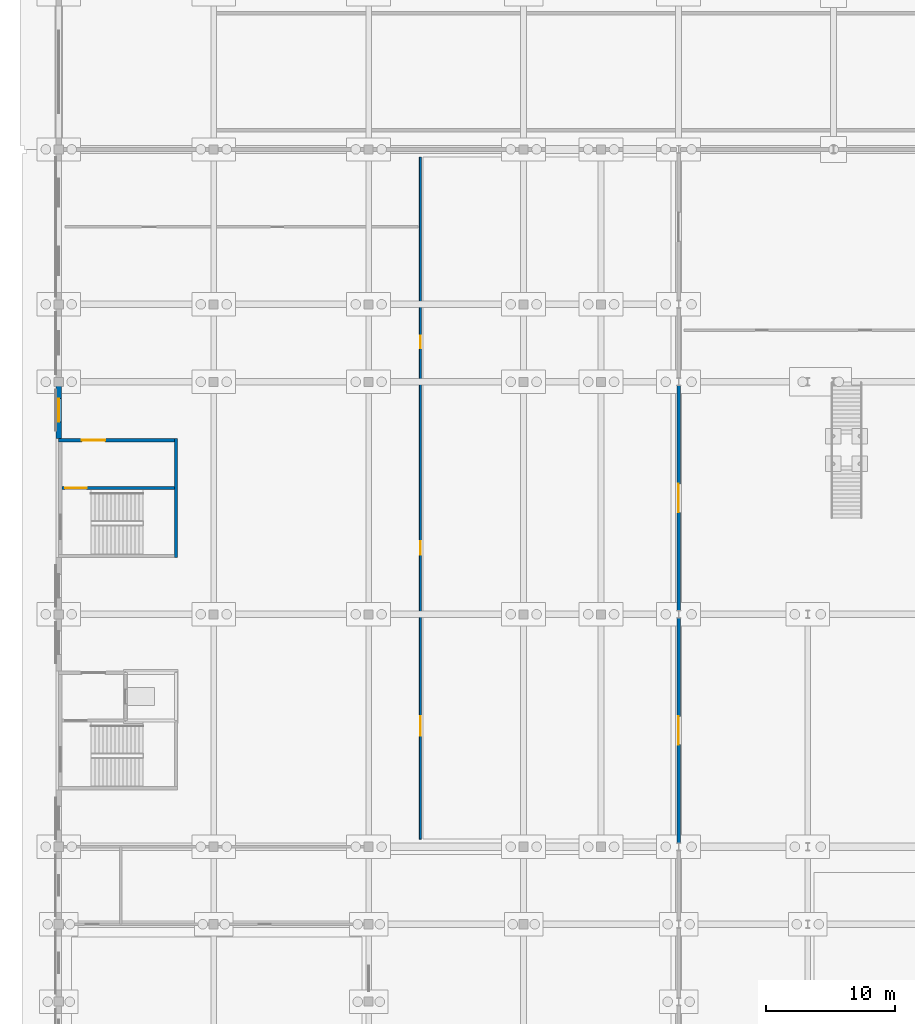
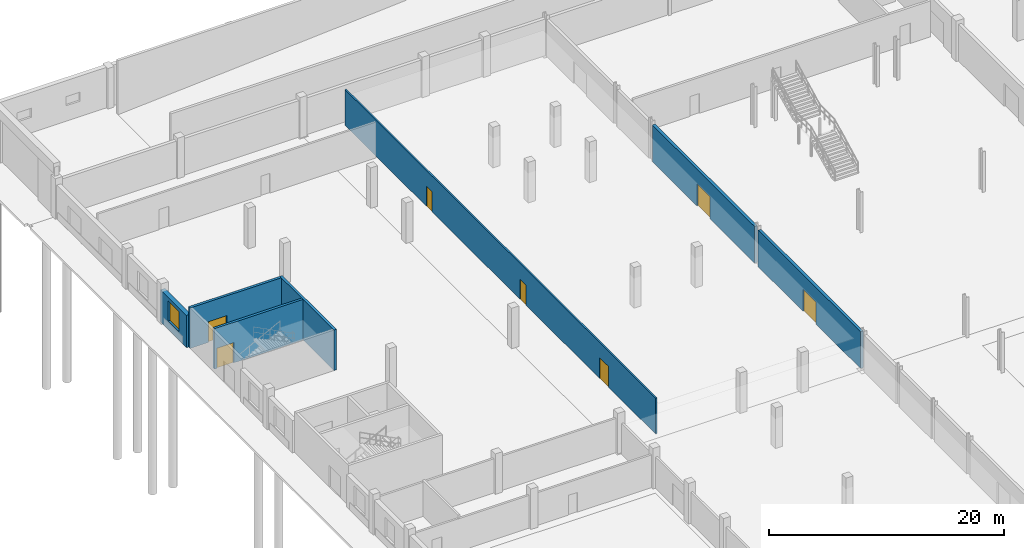
# One storey, part 56 of 77: 7 doors, 7 walls, 1 window, 8 openings.
"""IFC4 building model written with IfcOpenShell, lengths in metres."""

from ifc_helpers import new_model, si_unit, direction, frame, frame_2d, origin, place, context, subcontext, project, spatial, rectangle, extrude, material, layer, layer_set, type_object, element, fill, save


model = new_model("IFC4")

# Units and contexts
model_context = context("Model", 3, precision=1e-05, world=origin(), true_north=direction((0.0, 1.0)))
body_context = subcontext(model_context, "Body", "Model", "MODEL_VIEW")
ifc_project = project(units=[si_unit("LENGTHUNIT", "METRE"), si_unit("AREAUNIT", "SQUARE_METRE"), si_unit("VOLUMEUNIT", "CUBIC_METRE"), si_unit("PLANEANGLEUNIT", "RADIAN"), si_unit("MASSUNIT", "GRAM", prefix="KILO")], contexts=[model_context])

# Site, building, storey
site_placement = place(None, origin())
site = spatial("IfcSite", under=ifc_project, at=site_placement, CompositionType="ELEMENT")
building_placement = place(site_placement, origin())
building = spatial("IfcBuilding", under=site, at=building_placement, Name="Zilviju Railside Exhibition Hall", CompositionType="ELEMENT")
storey_placement = place(building_placement, origin())
storey = spatial("IfcBuildingStorey", under=building, at=storey_placement, Name="L01", CompositionType="ELEMENT", Elevation=0.0)

# Wall, opening, door
ifc_material_1 = material(Name="Concrete C35/45", Category="concrete")
ifc_layer_1 = layer(ifc_material_1, 0.280029296875)
ifc_layer_set_1 = layer_set([ifc_layer_1], Name="Concrete C35/45")
wall_type_1 = type_object("IfcWallType", Name="WL-COMP-280", PredefinedType="SHEAR", material=ifc_layer_set_1)
wall_1_placement = place(storey_placement, frame((48.0, 84.302001953125, 0.0), z_axis=(0.0, 0.0, 1.0), x_axis=(0.0, 1.0, 0.0)))
wall_1 = element("IfcWall", 1, at=wall_1_placement, inside=storey, type_object=wall_type_1, Name="REI 180 Congress-Concourse Compartment Wall L01", PredefinedType="SHEAR", context=body_context, shape_type="SweptSolid", body=[
    extrude(rectangle(XDim=17.39599609375, YDim=0.280029296875, at=frame_2d((8.697998046875, 0.0))), origin(), (0.0, 0.0, 1.0), 3.800048828125),
])
opening_1_placement = place(wall_1_placement, frame((7.597900390625, 0.0, 0.0)))
opening_1 = element("IfcOpeningElement", 2, at=opening_1_placement, cuts=wall_1, Name="Opening FD-03", PredefinedType="OPENING", context=body_context, shape_type="SweptSolid", body=[
    extrude(rectangle(XDim=2.199951171875, YDim=2.300048828125, at=frame_2d((1.10009765625, 1.14990234375))), frame((0.0, 0.14990234375, 0.0), z_axis=(0.0, -1.0, 0.0), x_axis=(1.0, 0.0, 0.0)), (0.0, 0.0, 1.0), 0.300048828125),
])
ifc_material_2 = material(Name="Hold-open double compartment fire door EI 60", Category="wood")
door_type_1 = type_object("IfcDoorType", Name="DR-COMP-220x230", OperationType="NOTDEFINED", PredefinedType="DOOR", material=ifc_material_2)
door_1_placement = place(opening_1_placement, origin())
door_1 = element("IfcDoor", 3, at=door_1_placement, inside=storey, type_object=door_type_1, Name="Congress Link Fire Door L01", OperationType="DOUBLE_DOOR_SINGLE_SWING", OverallHeight=2.300048828125, OverallWidth=2.199951171875, PredefinedType="DOOR", context=body_context, shape_type="SweptSolid", body=[
    extrude(rectangle(XDim=2.199951171875, YDim=2.300048828125, at=frame_2d((1.10009765625, 1.14990234375))), frame((0.0, 0.02490234375, 0.0), z_axis=(0.0, -1.0, 0.0), x_axis=(1.0, 0.0, 0.0)), (0.0, 0.0, 1.0), 0.050048828125),
])
fill(opening_1, door_1)

wall_2_placement = place(storey_placement, frame((48.0, 102.302001953125, 0.0), z_axis=(0.0, 0.0, 1.0), x_axis=(0.0, 1.0, 0.0)))
wall_2 = element("IfcWall", 4, at=wall_2_placement, inside=storey, type_object=wall_type_1, Name="REI 180 Congress-Concourse Compartment Wall L01", PredefinedType="SHEAR", context=body_context, shape_type="SweptSolid", body=[
    extrude(rectangle(XDim=17.39599609375, YDim=0.280029296875, at=frame_2d((8.697998046875, 0.0))), origin(), (0.0, 0.0, 1.0), 3.800048828125),
])
opening_2_placement = place(wall_2_placement, frame((7.597900390625, 0.0, 0.0)))
opening_2 = element("IfcOpeningElement", 5, at=opening_2_placement, cuts=wall_2, Name="Opening FD-03", PredefinedType="OPENING", context=body_context, shape_type="SweptSolid", body=[
    extrude(rectangle(XDim=2.199951171875, YDim=2.300048828125, at=frame_2d((1.10009765625, 1.14990234375))), frame((0.0, 0.14990234375, 0.0), z_axis=(0.0, -1.0, 0.0), x_axis=(1.0, 0.0, 0.0)), (0.0, 0.0, 1.0), 0.300048828125),
])
door_2_placement = place(opening_2_placement, origin())
door_2 = element("IfcDoor", 6, at=door_2_placement, inside=storey, type_object=door_type_1, Name="Congress Link Fire Door L01", OperationType="DOUBLE_DOOR_SINGLE_SWING", OverallHeight=2.300048828125, OverallWidth=2.199951171875, PredefinedType="DOOR", context=body_context, shape_type="SweptSolid", body=[
    extrude(rectangle(XDim=2.199951171875, YDim=2.300048828125, at=frame_2d((1.10009765625, 1.14990234375))), frame((0.0, 0.02490234375, 0.0), z_axis=(0.0, -1.0, 0.0), x_axis=(1.0, 0.0, 0.0)), (0.0, 0.0, 1.0), 0.050048828125),
])
fill(opening_2, door_2)

# Wall
ifc_layer_2 = layer(ifc_material_1, 0.25)
ifc_layer_set_2 = layer_set([ifc_layer_2], Name="Concrete C35/45")
wall_type_2 = type_object("IfcWallType", Name="WL-CORE-250", PredefinedType="SHEAR", material=ifc_layer_set_2)
wall_3_placement = place(storey_placement, frame((9.074951171875, 106.39990234375, 0.0), z_axis=(0.0, 0.0, 1.0), x_axis=(0.0, 1.0, 0.0)))
element("IfcWall", 7, at=wall_3_placement, inside=storey, type_object=wall_type_2, Name="Core C16 Organisers Wing North Core Rear Wall L01", PredefinedType="SHEAR", context=body_context, shape_type="SweptSolid", body=[
    extrude(rectangle(XDim=9.2001953125, YDim=0.25, at=frame_2d((4.60009765625, 0.0))), origin(), (0.0, 0.0, 1.0), 4.199951171875),
])

# Wall, opening, door
wall_4_placement = place(storey_placement, frame((0.0, 115.47509765625, 0.0), z_axis=(0.0, 0.0, 1.0), x_axis=(1.0, 0.0, 0.0)))
wall_4 = element("IfcWall", 8, at=wall_4_placement, inside=storey, type_object=wall_type_2, Name="Core C16 Organisers Wing North Lobby Side Wall L01", PredefinedType="SHEAR", context=body_context, shape_type="SweptSolid", body=[
    extrude(rectangle(XDim=9.199951171875, YDim=0.25, at=frame_2d((4.60009765625, 0.0))), origin(), (0.0, 0.0, 1.0), 4.199951171875),
])
opening_3_placement = place(wall_4_placement, frame((1.800048828125, 0.0, 0.0)))
opening_3 = element("IfcOpeningElement", 9, at=opening_3_placement, cuts=wall_4, Name="Opening FD-02", PredefinedType="OPENING", context=body_context, shape_type="SweptSolid", body=[
    extrude(rectangle(XDim=1.800048828125, YDim=2.14990234375, at=frame_2d((0.89990234375, 1.074951171875))), frame((0.0, 0.135009765625, 0.0), z_axis=(0.0, -1.0, 0.0), x_axis=(1.0, 0.0, 0.0)), (0.0, 0.0, 1.0), 0.27001953125),
])
ifc_material_3 = material(Name="Self-closing glazed steel core lobby fire door EI 60", Category="steel")
door_type_2 = type_object("IfcDoorType", Name="DR-LOBBY-180x215", OperationType="NOTDEFINED", PredefinedType="DOOR", material=ifc_material_3)
door_3_placement = place(opening_3_placement, origin())
door_3 = element("IfcDoor", 10, at=door_3_placement, inside=storey, type_object=door_type_2, Name="Core C16 Organisers Wing North Lobby Fire Door L01", OperationType="DOUBLE_DOOR_SINGLE_SWING", OverallHeight=2.14990234375, OverallWidth=1.800048828125, PredefinedType="DOOR", context=body_context, shape_type="SweptSolid", body=[
    extrude(rectangle(XDim=1.800048828125, YDim=2.14990234375, at=frame_2d((0.89990234375, 1.074951171875))), frame((0.0, 0.02490234375, 0.0), z_axis=(0.0, -1.0, 0.0), x_axis=(1.0, 0.0, 0.0)), (0.0, 0.0, 1.0), 0.050048828125),
])
fill(opening_3, door_3)

wall_5_placement = place(storey_placement, frame((0.25, 111.77490234375, 0.0), z_axis=(0.0, 0.0, 1.0), x_axis=(1.0, 0.0, 0.0)))
wall_5 = element("IfcWall", 11, at=wall_5_placement, inside=storey, type_object=wall_type_2, Name="Core C16 Organisers Wing North Stairwell Partition Wall L01", PredefinedType="SHEAR", context=body_context, shape_type="SweptSolid", body=[
    extrude(rectangle(XDim=8.699951171875, YDim=0.25, at=frame_2d((4.35009765625, 0.0))), origin(), (0.0, 0.0, 1.0), 4.199951171875),
])
opening_4_placement = place(wall_5_placement, frame((0.25, 0.0, 0.0)))
opening_4 = element("IfcOpeningElement", 12, at=opening_4_placement, cuts=wall_5, Name="Opening FD-01", PredefinedType="OPENING", context=body_context, shape_type="SweptSolid", body=[
    extrude(rectangle(XDim=1.64990234375, YDim=2.10009765625, at=frame_2d((0.824951171875, 1.050048828125))), frame((0.0, 0.135009765625, 0.0), z_axis=(0.0, -1.0, 0.0), x_axis=(1.0, 0.0, 0.0)), (0.0, 0.0, 1.0), 0.27001953125),
])
ifc_material_4 = material(Name="Self-closing steel stair enclosure fire door EI 60", Category="steel")
door_type_3 = type_object("IfcDoorType", Name="DR-STAIR-165x210", OperationType="NOTDEFINED", PredefinedType="DOOR", material=ifc_material_4)
door_4_placement = place(opening_4_placement, origin())
door_4 = element("IfcDoor", 13, at=door_4_placement, inside=storey, type_object=door_type_3, Name="Core C16 Organisers Wing North Protected Stair Door L01", OperationType="SINGLE_SWING_RIGHT", OverallHeight=2.10009765625, OverallWidth=1.64990234375, PredefinedType="DOOR", context=body_context, shape_type="SweptSolid", body=[
    extrude(rectangle(XDim=1.64990234375, YDim=2.10009765625, at=frame_2d((0.824951171875, 1.050048828125))), frame((0.0, 0.02490234375, 0.0), z_axis=(0.0, -1.0, 0.0), x_axis=(1.0, 0.0, 0.0)), (0.0, 0.0, 1.0), 0.050048828125),
])
fill(opening_4, door_4)

# Wall, opening, window
ifc_material_5 = material(Name="Insulated Jugendstils ochre brick facade wall", Category="masonry")
ifc_layer_3 = layer(ifc_material_5, 0.419921875)
ifc_layer_set_3 = layer_set([ifc_layer_3], Name="Insulated Jugendstils ochre brick facade wall")
wall_type_3 = type_object("IfcWallType", Name="WL-EXT-420", PredefinedType="SOLIDWALL", material=ifc_layer_set_3)
wall_6_placement = place(storey_placement, frame((0.0, 115.60009765625, 0.0), z_axis=(0.0, 0.0, 1.0), x_axis=(0.0, 1.0, 0.0)))
wall_6 = element("IfcWall", 14, at=wall_6_placement, inside=storey, type_object=wall_type_3, Name="Exterior Facade Wall L01 West 0469", PredefinedType="SOLIDWALL", context=body_context, shape_type="SweptSolid", body=[
    extrude(rectangle(XDim=4.39990234375, YDim=0.419921875, at=frame_2d((2.199951171875, 0.0))), origin(), (0.0, 0.0, 1.0), 3.35009765625),
])
opening_5_placement = place(wall_6_placement, frame((1.300048828125, 0.0, 0.89990234375)))
opening_5 = element("IfcOpeningElement", 15, at=opening_5_placement, cuts=wall_6, Name="Opening WN-01", PredefinedType="OPENING", context=body_context, shape_type="SweptSolid", body=[
    extrude(rectangle(XDim=1.800048828125, YDim=2.050048828125, at=frame_2d((0.89990234375, 1.02490234375))), frame((0.0, 0.219970703125, 0.0), z_axis=(0.0, -1.0, 0.0), x_axis=(1.0, 0.0, 0.0)), (0.0, 0.0, 1.0), 0.43994140625),
])
ifc_material_6 = material(Name="Triple-glazed timber-aluminium window unit", Category="wood")
window_type = type_object("IfcWindowType", Name="WIN-JUG-180x205", PartitioningType="DOUBLE_PANEL_VERTICAL", PredefinedType="WINDOW", material=ifc_material_6)
window_placement = place(opening_5_placement, origin())
window = element("IfcWindow", 16, at=window_placement, inside=storey, type_object=window_type, Name="Facade Window L01 WN-0041", OverallHeight=2.050048828125, OverallWidth=1.800048828125, PartitioningType="SINGLE_PANEL", PredefinedType="WINDOW", context=body_context, shape_type="SweptSolid", body=[
    extrude(rectangle(XDim=1.800048828125, YDim=2.050048828125, at=frame_2d((0.89990234375, 1.02490234375))), frame((0.0, 0.030029296875, 0.0), z_axis=(0.0, -1.0, 0.0), x_axis=(1.0, 0.0, 0.0)), (0.0, 0.0, 1.0), 0.06005859375),
])
fill(opening_5, window)

# Wall, openings, doors
ifc_material_7 = material(Name="Insulated gypsum room partition wall", Category="masonry")
ifc_layer_4 = layer(ifc_material_7, 0.14990234375)
ifc_layer_set_4 = layer_set([ifc_layer_4], Name="Insulated gypsum room partition wall")
wall_type_4 = type_object("IfcWallType", Name="WL-PART-150", PredefinedType="PARTITIONING", material=ifc_layer_set_4)
wall_7_placement = place(storey_placement, frame((28.0, 84.60009765625, 0.0), z_axis=(0.0, 0.0, 1.0), x_axis=(0.0, 1.0, 0.0)))
wall_7 = element("IfcWall", 17, at=wall_7_placement, inside=storey, type_object=wall_type_4, Name="Restaurant-Press Centre Partition", PredefinedType="PARTITIONING", context=body_context, shape_type="SweptSolid", body=[
    extrude(rectangle(XDim=52.7998046875, YDim=0.14990234375, at=frame_2d((26.39990234375, 0.0))), origin(), (0.0, 0.0, 1.0), 3.719970703125),
])
opening_6_placement = place(wall_7_placement, frame((8.0, 0.0, 0.0)))
opening_6 = element("IfcOpeningElement", 18, at=opening_6_placement, cuts=wall_7, Name="Opening ID-01", PredefinedType="OPENING", context=body_context, shape_type="SweptSolid", body=[
    extrude(rectangle(XDim=1.5, YDim=2.14990234375, at=frame_2d((0.75, 1.074951171875))), frame((0.0, 0.0849609375, 0.0), z_axis=(0.0, -1.0, 0.0), x_axis=(1.0, 0.0, 0.0)), (0.0, 0.0, 1.0), 0.169921875),
])
opening_7_placement = place(wall_7_placement, frame((22.0, 0.0, 0.0)))
opening_7 = element("IfcOpeningElement", 19, at=opening_7_placement, cuts=wall_7, Name="Opening ID-02", PredefinedType="OPENING", context=body_context, shape_type="SweptSolid", body=[
    extrude(rectangle(XDim=1.050048828125, YDim=2.10009765625, at=frame_2d((0.52490234375, 1.050048828125))), frame((0.0, 0.0849609375, 0.0), z_axis=(0.0, -1.0, 0.0), x_axis=(1.0, 0.0, 0.0)), (0.0, 0.0, 1.0), 0.169921875),
])
opening_8_placement = place(wall_7_placement, frame((38.0, 0.0, 0.0)))
opening_8 = element("IfcOpeningElement", 20, at=opening_8_placement, cuts=wall_7, Name="Opening ID-03", PredefinedType="OPENING", context=body_context, shape_type="SweptSolid", body=[
    extrude(rectangle(XDim=0.97998046875, YDim=2.10009765625, at=frame_2d((0.489990234375, 1.050048828125))), frame((0.0, 0.0849609375, 0.0), z_axis=(0.0, -1.0, 0.0), x_axis=(1.0, 0.0, 0.0)), (0.0, 0.0, 1.0), 0.169921875),
])
ifc_material_8 = material(Name="Oak veneer meeting room single door", Category="wood")
door_type_4 = type_object("IfcDoorType", Name="DR-MTG-105x210", OperationType="NOTDEFINED", PredefinedType="DOOR", material=ifc_material_8)
door_5_placement = place(opening_7_placement, origin())
door_5 = element("IfcDoor", 21, at=door_5_placement, inside=storey, type_object=door_type_4, Name="Media Briefing Door", OperationType="SINGLE_SWING_RIGHT", OverallHeight=2.10009765625, OverallWidth=1.050048828125, PredefinedType="DOOR", context=body_context, shape_type="SweptSolid", body=[
    extrude(rectangle(XDim=1.050048828125, YDim=2.10009765625, at=frame_2d((0.52490234375, 1.050048828125))), frame((0.0, 0.02490234375, 0.0), z_axis=(0.0, -1.0, 0.0), x_axis=(1.0, 0.0, 0.0)), (0.0, 0.0, 1.0), 0.050048828125),
])
fill(opening_7, door_5)
ifc_material_9 = material(Name="Oak veneer conference suite double door", Category="wood")
door_type_5 = type_object("IfcDoorType", Name="DR-MTG-150x215", OperationType="NOTDEFINED", PredefinedType="DOOR", material=ifc_material_9)
door_6_placement = place(opening_6_placement, origin())
door_6 = element("IfcDoor", 22, at=door_6_placement, inside=storey, type_object=door_type_5, Name="Press Centre South Door", OperationType="SINGLE_SWING_LEFT", OverallHeight=2.14990234375, OverallWidth=1.5, PredefinedType="DOOR", context=body_context, shape_type="SweptSolid", body=[
    extrude(rectangle(XDim=1.5, YDim=2.14990234375, at=frame_2d((0.75, 1.074951171875))), frame((0.0, 0.02490234375, 0.0), z_axis=(0.0, -1.0, 0.0), x_axis=(1.0, 0.0, 0.0)), (0.0, 0.0, 1.0), 0.050048828125),
])
fill(opening_6, door_6)
ifc_material_10 = material(Name="Oak veneer administration single door", Category="wood")
door_type_6 = type_object("IfcDoorType", Name="DR-OFF-098x210", OperationType="NOTDEFINED", PredefinedType="DOOR", material=ifc_material_10)
door_7_placement = place(opening_8_placement, origin())
door_7 = element("IfcDoor", 23, at=door_7_placement, inside=storey, type_object=door_type_6, Name="Restaurant Service Corridor Door", OperationType="SINGLE_SWING_LEFT", OverallHeight=2.10009765625, OverallWidth=0.97998046875, PredefinedType="DOOR", context=body_context, shape_type="SweptSolid", body=[
    extrude(rectangle(XDim=0.97998046875, YDim=2.10009765625, at=frame_2d((0.489990234375, 1.050048828125))), frame((0.0, 0.02490234375, 0.0), z_axis=(0.0, -1.0, 0.0), x_axis=(1.0, 0.0, 0.0)), (0.0, 0.0, 1.0), 0.050048828125),
])
fill(opening_8, door_7)

save(model, "model.ifc")
